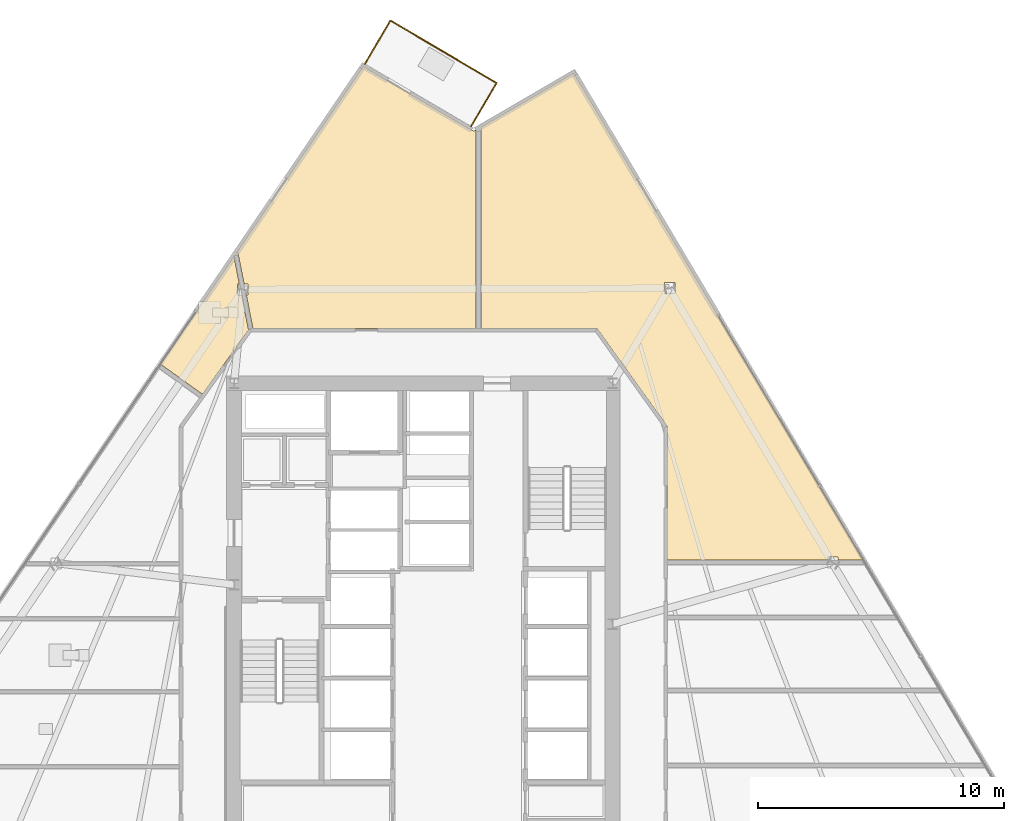
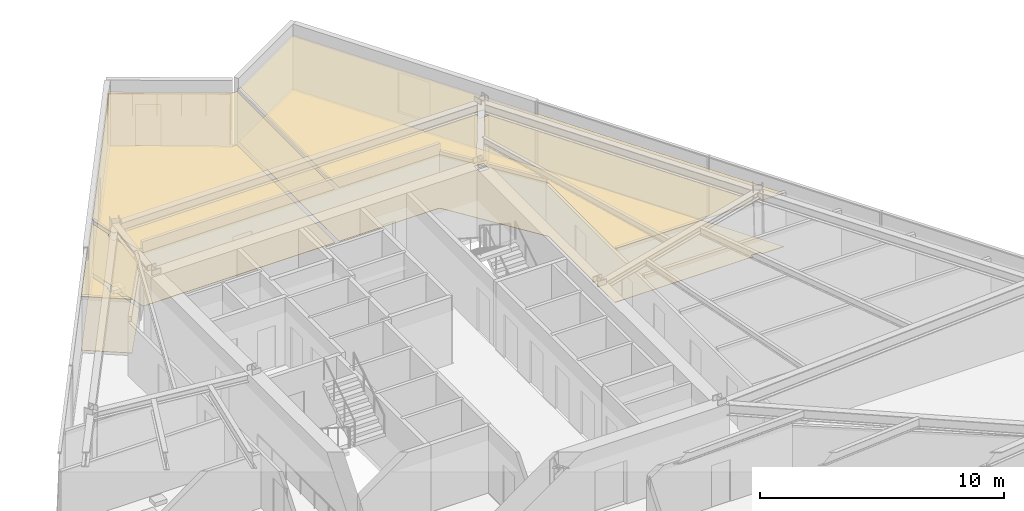
# One storey, part 14 of 15: 6 coverings, 3 railings.
"""IFC4 building model written with IfcOpenShell, lengths in metres."""

from ifc_helpers import new_model, si_unit, direction, frame, origin, origin_2d, place, context, subcontext, project, spatial, polyline, circle, outline, extrude, material, layer, layer_set, type_object, element, save


model = new_model("IFC4")

# Units and contexts
model_context = context("Model", 3, precision=1e-05, world=origin(), true_north=direction((0.0, 1.0)))
body_context = subcontext(model_context, "Body", "Model", "MODEL_VIEW")
ifc_project = project(units=[si_unit("LENGTHUNIT", "METRE"), si_unit("AREAUNIT", "SQUARE_METRE"), si_unit("VOLUMEUNIT", "CUBIC_METRE"), si_unit("PLANEANGLEUNIT", "RADIAN"), si_unit("MASSUNIT", "GRAM", prefix="KILO")], contexts=[model_context])

# Site, building, storey
site_placement = place(None, origin())
site = spatial("IfcSite", under=ifc_project, at=site_placement, CompositionType="ELEMENT")
building_placement = place(site_placement, origin())
building = spatial("IfcBuilding", under=site, at=building_placement, Name="Savorim Split Tower", CompositionType="ELEMENT")
storey_placement = place(building_placement, frame((0.0, 0.0, 100.5)))
storey = spatial("IfcBuildingStorey", under=building, at=storey_placement, Name="L26", CompositionType="ELEMENT", Elevation=100.5)

# Coverings
ifc_material_1 = material(Name="Mineral Fibre Acoustic Ceiling")
ifc_layer_1 = layer(ifc_material_1, 0.02490234375)
ifc_layer_set_1 = layer_set([ifc_layer_1], Name="COV-CEIL-25")
covering_type_1 = type_object("IfcCoveringType", Name="COV-CEIL-25", PredefinedType="CEILING", material=ifc_layer_set_1)
covering_1_placement = place(storey_placement, frame((0.0, 0.0, 2.669921875)))
element("IfcCovering", 1, at=covering_1_placement, inside=storey, type_object=covering_type_1, Name="L26 Co-Working Commons Acoustic Ceiling", PredefinedType="CEILING", context=body_context, shape_type="SweptSolid", body=[
    extrude(outline(polyline([(17.904296875, 3.00146484375), (17.906005859375, 3.00146484375), (6.120849609375, 22.821044921875), (2.337158203125, 20.615966796875), (2.337158203125, 12.419921875), (7.0, 12.419921875), (7.01318359375, 12.41943359375), (7.0263671875, 12.41748046875), (7.039306640625, 12.414306640625), (7.052001953125, 12.409912109375), (7.06396484375, 12.404541015625), (7.075439453125, 12.39794921875), (7.086181640625, 12.39013671875), (7.096435546875, 12.381591796875), (7.105712890625, 12.3720703125), (7.11376953125, 12.361572265625), (9.893798828125, 8.4814453125), (9.901611328125, 8.46923828125), (9.908203125, 8.456298828125), (9.913330078125, 8.44287109375), (9.9169921875, 8.4287109375), (9.919189453125, 8.41455078125), (9.919921875, 8.39990234375), (9.919921875, 3.00146484375), (16.438720703125, 3.00146484375), (16.438720703125, 3.12890625), (16.867919921875, 3.12890625), (16.867919921875, 3.00146484375), (17.904296875, 3.00146484375)]), holes=[polyline([(10.23388671875, 14.285400390625), (9.804931640625, 14.285400390625), (9.804931640625, 13.84033203125), (10.23388671875, 13.84033203125), (10.23388671875, 14.285400390625)])]), origin(), (0.0, 0.0, 1.0), 0.025146484375),
])
covering_2_placement = place(storey_placement, frame((0.0, 0.0, 2.669921875)))
element("IfcCovering", 2, at=covering_2_placement, inside=storey, type_object=covering_type_1, Name="L26 Co-Working Commons Acoustic Ceiling", PredefinedType="CEILING", context=body_context, shape_type="SweptSolid", body=[
    extrude(outline(polyline([(2.0068359375, 20.472412109375), (1.99609375, 20.476806640625), (1.986083984375, 20.482177734375), (-2.447265625, 23.087646484375), (-7.611328125, 15.49658203125), (-7.54296875, 15.51025390625), (-7.290283203125, 14.236572265625), (-7.12841796875, 14.236572265625), (-7.12841796875, 13.79150390625), (-7.201904296875, 13.79150390625), (-6.93310546875, 12.435791015625), (-6.93017578125, 12.419921875), (2.147216796875, 12.419921875), (2.147216796875, 20.505126953125), (2.107177734375, 20.48193359375), (2.096923828125, 20.4765625), (2.086181640625, 20.472412109375), (2.0751953125, 20.468994140625), (2.06396484375, 20.466796875), (2.052490234375, 20.4658203125), (2.040771484375, 20.4658203125), (2.029296875, 20.466796875), (2.01806640625, 20.468994140625), (2.0068359375, 20.472412109375)])), origin(), (0.0, 0.0, 1.0), 0.025146484375),
])
covering_3_placement = place(storey_placement, frame((0.0, 0.0, 2.669921875)))
element("IfcCovering", 3, at=covering_3_placement, inside=storey, type_object=covering_type_1, Name="L26 Shared Bathroom Acoustic Ceiling", PredefinedType="CEILING", context=body_context, shape_type="SweptSolid", body=[
    extrude(outline(polyline([(-8.985107421875, 9.749755859375), (-7.11376953125, 12.361572265625), (-7.112548828125, 12.36328125), (-7.395751953125, 13.79150390625), (-7.5576171875, 13.79150390625), (-7.5576171875, 14.236572265625), (-7.48388671875, 14.236572265625), (-7.706298828125, 15.357177734375), (-10.68994140625, 10.97119140625), (-8.985107421875, 9.749755859375)])), origin(), (0.0, 0.0, 1.0), 0.025146484375),
])
ifc_material_2 = material(Name="Porcelain Stoneware Flooring", Category="masonry")
ifc_layer_2 = layer(ifc_material_2, 0.02001953125)
ifc_layer_set_2 = layer_set([ifc_layer_2], Name="COV-FLOR-20")
covering_type_2 = type_object("IfcCoveringType", Name="COV-FLOR-20", PredefinedType="FLOORING", material=ifc_layer_set_2)
covering_4_placement = place(storey_placement, origin())
element("IfcCovering", 4, at=covering_4_placement, inside=storey, type_object=covering_type_2, Name="L26 Co-Working Commons Porcelain Flooring", PredefinedType="FLOORING", context=body_context, shape_type="SweptSolid", body=[
    extrude(outline(polyline([(17.904296875, 3.00146484375), (17.906005859375, 3.00146484375), (6.120849609375, 22.821044921875), (2.337158203125, 20.615966796875), (2.337158203125, 12.419921875), (7.0, 12.419921875), (7.01318359375, 12.41943359375), (7.0263671875, 12.41748046875), (7.039306640625, 12.414306640625), (7.052001953125, 12.409912109375), (7.06396484375, 12.404541015625), (7.075439453125, 12.39794921875), (7.086181640625, 12.39013671875), (7.096435546875, 12.381591796875), (7.105712890625, 12.3720703125), (7.11376953125, 12.361572265625), (9.893798828125, 8.4814453125), (9.901611328125, 8.46923828125), (9.908203125, 8.456298828125), (9.913330078125, 8.44287109375), (9.9169921875, 8.4287109375), (9.919189453125, 8.41455078125), (9.919921875, 8.39990234375), (9.919921875, 3.00146484375), (16.438720703125, 3.00146484375), (16.438720703125, 3.12890625), (16.867919921875, 3.12890625), (16.867919921875, 3.00146484375), (17.904296875, 3.00146484375)]), holes=[polyline([(10.23388671875, 14.285400390625), (9.804931640625, 14.285400390625), (9.804931640625, 13.84033203125), (10.23388671875, 13.84033203125), (10.23388671875, 14.285400390625)])]), origin(), (0.0, 0.0, 1.0), 0.02001953125),
])
covering_5_placement = place(storey_placement, origin())
element("IfcCovering", 5, at=covering_5_placement, inside=storey, type_object=covering_type_2, Name="L26 Co-Working Commons Porcelain Flooring", PredefinedType="FLOORING", context=body_context, shape_type="SweptSolid", body=[
    extrude(outline(polyline([(2.0068359375, 20.472412109375), (1.99609375, 20.476806640625), (1.986083984375, 20.482177734375), (-2.447265625, 23.087646484375), (-7.611328125, 15.49658203125), (-7.54296875, 15.51025390625), (-7.290283203125, 14.236572265625), (-7.12841796875, 14.236572265625), (-7.12841796875, 13.79150390625), (-7.201904296875, 13.79150390625), (-6.93310546875, 12.435791015625), (-6.93017578125, 12.419921875), (2.147216796875, 12.419921875), (2.147216796875, 20.505126953125), (2.107177734375, 20.48193359375), (2.096923828125, 20.4765625), (2.086181640625, 20.472412109375), (2.0751953125, 20.468994140625), (2.06396484375, 20.466796875), (2.052490234375, 20.4658203125), (2.040771484375, 20.4658203125), (2.029296875, 20.466796875), (2.01806640625, 20.468994140625), (2.0068359375, 20.472412109375)])), origin(), (0.0, 0.0, 1.0), 0.02001953125),
])
covering_6_placement = place(storey_placement, origin())
element("IfcCovering", 6, at=covering_6_placement, inside=storey, type_object=covering_type_2, Name="L26 Shared Bathroom Porcelain Flooring", PredefinedType="FLOORING", context=body_context, shape_type="SweptSolid", body=[
    extrude(outline(polyline([(-8.985107421875, 9.749755859375), (-7.11376953125, 12.361572265625), (-7.112548828125, 12.36328125), (-7.395751953125, 13.79150390625), (-7.5576171875, 13.79150390625), (-7.5576171875, 14.236572265625), (-7.48388671875, 14.236572265625), (-7.706298828125, 15.357177734375), (-10.68994140625, 10.97119140625), (-8.985107421875, 9.749755859375)])), origin(), (0.0, 0.0, 1.0), 0.02001953125),
])

# Railings
ifc_material_3 = material(Name="Galvanised Painted Steel Balustrade", Category="steel")
railing_type = type_object("IfcRailingType", Name="RLG-BAL-1100", PredefinedType="BALUSTRADE", material=ifc_material_3)
railing_1_placement = place(storey_placement, frame((-2.3798828125, 23.187255859375, 0.0)))
element("IfcRailing", 7, at=railing_1_placement, inside=storey, type_object=railing_type, Name="L26 Tree Balcony Guardrail N-1", PredefinedType="BALUSTRADE", context=body_context, shape_type="SweptSolid", body=[
    extrude(circle(Radius=0.02392578125, at=origin_2d()), frame((0.0, 0.0, 1.076171875), z_axis=(0.506733850669, 0.862102548764, 0.0), x_axis=(-0.862102548764, 0.506733850669, 0.0)), (0.0, 0.0, 1.0), 2.050048828125),
    extrude(circle(Radius=0.02099609375, at=origin_2d()), origin(), (0.0, 0.0, 1.0), 1.052001953125),
    extrude(circle(Radius=0.02099609375, at=origin_2d()), frame((0.51953125, 0.8837890625, 0.0)), (0.0, 0.0, 1.0), 1.052001953125),
    extrude(circle(Radius=0.02099609375, at=origin_2d()), frame((1.038818359375, 1.767333984375, 0.0)), (0.0, 0.0, 1.0), 1.052001953125),
])
railing_2_placement = place(storey_placement, frame((-1.341064453125, 24.95458984375, 0.0)))
element("IfcRailing", 8, at=railing_2_placement, inside=storey, type_object=railing_type, Name="L26 Tree Balcony Guardrail N-2", PredefinedType="BALUSTRADE", context=body_context, shape_type="SweptSolid", body=[
    extrude(circle(Radius=0.02392578125, at=origin_2d()), frame((0.0, 0.0, 1.076171875), z_axis=(0.862123150864, -0.506698798839, 0.0), x_axis=(0.506698798839, 0.862123150864, 0.0)), (0.0, 0.0, 1.0), 5.014404296875),
    extrude(circle(Radius=0.02099609375, at=origin_2d()), origin(), (0.0, 0.0, 1.0), 1.052001953125),
    extrude(circle(Radius=0.02099609375, at=origin_2d()), frame((0.864501953125, -0.508056640625, 0.0)), (0.0, 0.0, 1.0), 1.052001953125),
    extrude(circle(Radius=0.02099609375, at=origin_2d()), frame((1.729248046875, -1.016357421875, 0.0)), (0.0, 0.0, 1.0), 1.052001953125),
    extrude(circle(Radius=0.02099609375, at=origin_2d()), frame((2.59375, -1.5244140625, 0.0)), (0.0, 0.0, 1.0), 1.052001953125),
    extrude(circle(Radius=0.02099609375, at=origin_2d()), frame((3.45849609375, -2.03271484375, 0.0)), (0.0, 0.0, 1.0), 1.052001953125),
    extrude(circle(Radius=0.02099609375, at=origin_2d()), frame((4.322998046875, -2.540771484375, 0.0)), (0.0, 0.0, 1.0), 1.052001953125),
])
railing_3_placement = place(storey_placement, frame((2.98193359375, 22.413818359375, 0.0)))
element("IfcRailing", 9, at=railing_3_placement, inside=storey, type_object=railing_type, Name="L26 Tree Balcony Guardrail N-3", PredefinedType="BALUSTRADE", context=body_context, shape_type="SweptSolid", body=[
    extrude(circle(Radius=0.02392578125, at=origin_2d()), frame((0.0, 0.0, 1.076171875), z_axis=(-0.50664533146, -0.862154573211, 0.0), x_axis=(0.862154573211, -0.50664533146, 0.0)), (0.0, 0.0, 1.0), 2.0498046875),
    extrude(circle(Radius=0.02099609375, at=origin_2d()), origin(), (0.0, 0.0, 1.0), 1.052001953125),
    extrude(circle(Radius=0.02099609375, at=origin_2d()), frame((-0.519287109375, -0.8837890625, 0.0)), (0.0, 0.0, 1.0), 1.052001953125),
    extrude(circle(Radius=0.02099609375, at=origin_2d()), frame((-1.03857421875, -1.767333984375, 0.0)), (0.0, 0.0, 1.0), 1.052001953125),
])

save(model, "model.ifc")
